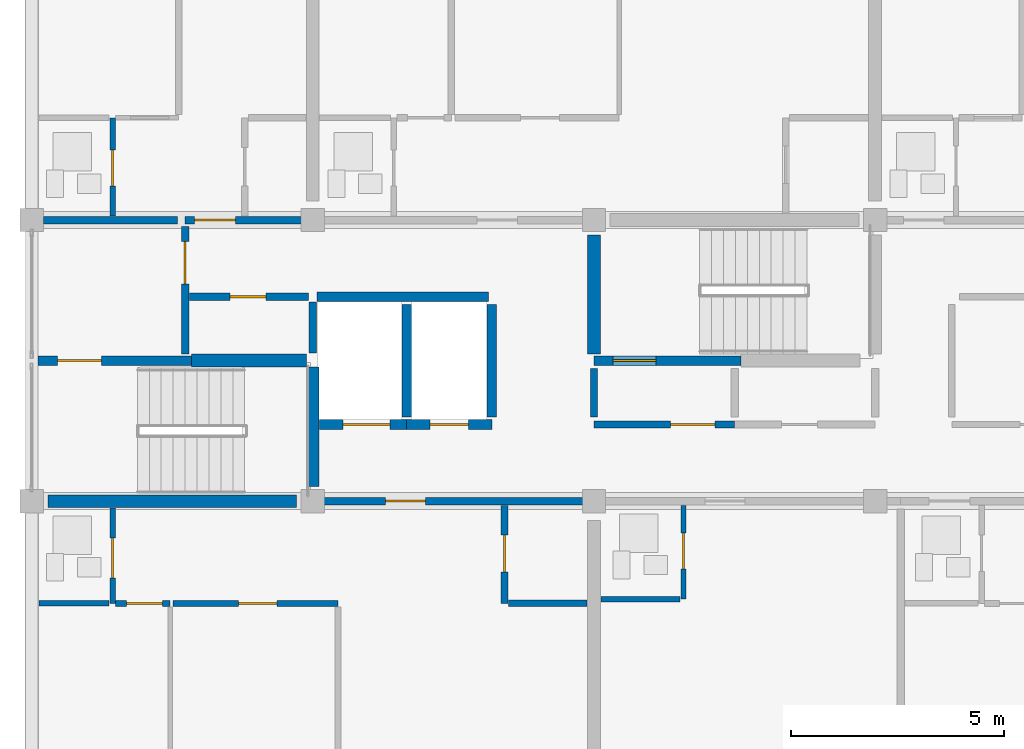
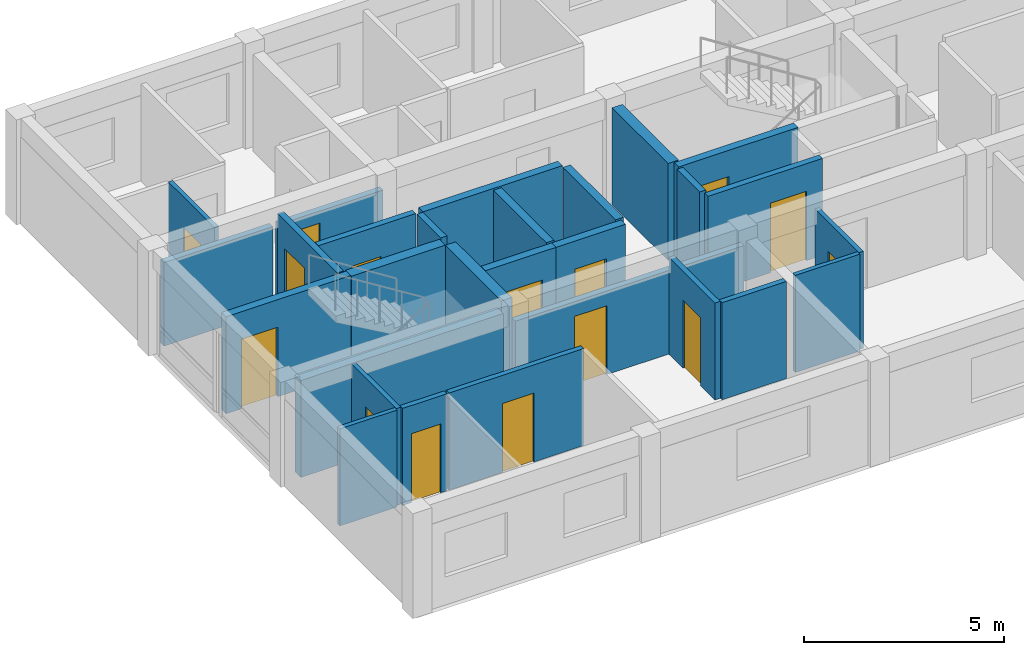
# One storey, part 31 of 45: 28 walls, 15 doors, 15 openings.
"""IFC4 building model written with IfcOpenShell, lengths in metres."""

from ifc_helpers import new_model, si_unit, direction, frame, frame_2d, origin, place, context, subcontext, project, spatial, rectangle, extrude, material, layer, layer_set, type_object, element, fill, save


model = new_model("IFC4")

# Units and contexts
model_context = context("Model", 3, precision=1e-05, world=origin(), true_north=direction((0.0, 1.0)))
body_context = subcontext(model_context, "Body", "Model", "MODEL_VIEW")
ifc_project = project(units=[si_unit("LENGTHUNIT", "METRE"), si_unit("AREAUNIT", "SQUARE_METRE"), si_unit("VOLUMEUNIT", "CUBIC_METRE"), si_unit("PLANEANGLEUNIT", "RADIAN"), si_unit("MASSUNIT", "GRAM", prefix="KILO")], contexts=[model_context])

# Site, building, storey
site_placement = place(None, origin())
site = spatial("IfcSite", under=ifc_project, at=site_placement, CompositionType="ELEMENT")
building_placement = place(site_placement, origin())
building = spatial("IfcBuilding", under=site, at=building_placement, Name="Kernevlak Ridge Housing Community", CompositionType="ELEMENT")
storey_placement = place(building_placement, frame((0.0, 0.0, 21.199951171875)))
storey = spatial("IfcBuildingStorey", under=building, at=storey_placement, Name="L06", CompositionType="ELEMENT", Elevation=21.199951171875)

# Wall, opening, door
ifc_material_1 = material(Name="Concrete C35/45", Category="concrete")
ifc_layer_1 = layer(ifc_material_1, 0.22509765625, Name="Concrete C35/45")
ifc_layer_set_1 = layer_set([ifc_layer_1], Name="Concrete C35/45")
wall_type_1 = type_object("IfcWallType", Name="PW-01", PredefinedType="STANDARD", material=ifc_layer_set_1)
wall_1_placement = place(storey_placement, frame((15.75, 85.89990234375, 0.0), z_axis=(0.0, 0.0, 1.0), x_axis=(1.0, 0.0, 0.0)))
wall_1 = element("IfcWall", 1, at=wall_1_placement, inside=storey, type_object=wall_type_1, Name="Interior wall PW-01 WAL-INT-L06-0374", PredefinedType="STANDARD", context=body_context, shape_type="SweptSolid", body=[
    extrude(rectangle(XDim=3.60009765625, YDim=0.22509765625, at=frame_2d((1.800048828125, 0.0))), origin(), (0.0, 0.0, 1.0), 2.9599609375),
])
opening_1_placement = place(wall_1_placement, frame((0.449951171875, 0.0, 0.0)))
opening_1 = element("IfcOpeningElement", 2, at=opening_1_placement, cuts=wall_1, Name="Opening D189", PredefinedType="OPENING", context=body_context, shape_type="SweptSolid", body=[
    extrude(rectangle(XDim=1.0400390625, YDim=2.1201171875, at=frame_2d((0.52001953125, 1.06005859375))), frame((0.0, 0.12255859375, 0.0), z_axis=(0.0, -1.0, 0.0), x_axis=(1.0, 0.0, 0.0)), (0.0, 0.0, 1.0), 0.2451171875),
])
ifc_material_2 = material(Name="Fire-rated sheet steel leaf", Category="steel")
door_type_1 = type_object("IfcDoorType", Name="DT-16", OperationType="NOTDEFINED", PredefinedType="DOOR", material=ifc_material_2)
door_1_placement = place(opening_1_placement, origin())
door_1 = element("IfcDoor", 3, at=door_1_placement, inside=storey, type_object=door_type_1, Name="Block A Stair 1 fire door D189", OperationType="SINGLE_SWING_LEFT", OverallHeight=2.1201171875, OverallWidth=1.0400390625, PredefinedType="DOOR", context=body_context, shape_type="SweptSolid", body=[
    extrude(rectangle(XDim=1.0400390625, YDim=2.1201171875, at=frame_2d((0.52001953125, 1.06005859375))), frame((0.0, 0.02490234375, 0.0), z_axis=(0.0, -1.0, 0.0), x_axis=(1.0, 0.0, 0.0)), (0.0, 0.0, 1.0), 0.050048828125),
])
fill(opening_1, door_1)

wall_2_placement = place(storey_placement, frame((22.360107421875, 84.39990234375, 0.0), z_axis=(0.0, 0.0, 1.0), x_axis=(1.0, 0.0, 0.0)))
wall_2 = element("IfcWall", 4, at=wall_2_placement, inside=storey, type_object=wall_type_1, Name="Interior wall PW-01 WAL-INT-L06-0378", PredefinedType="STANDARD", context=body_context, shape_type="SweptSolid", body=[
    extrude(rectangle(XDim=2.039794921875, YDim=0.22509765625, at=frame_2d((1.02001953125, 0.0))), origin(), (0.0, 0.0, 1.0), 2.9599609375),
])
opening_2_placement = place(wall_2_placement, frame((0.550048828125, 0.0, 0.0)))
opening_2 = element("IfcOpeningElement", 5, at=opening_2_placement, cuts=wall_2, Name="Opening LD14", PredefinedType="OPENING", context=body_context, shape_type="SweptSolid", body=[
    extrude(rectangle(XDim=1.10009765625, YDim=2.10009765625, at=frame_2d((0.550048828125, 1.050048828125))), frame((0.0, 0.12255859375, 0.0), z_axis=(0.0, -1.0, 0.0), x_axis=(1.0, 0.0, 0.0)), (0.0, 0.0, 1.0), 0.2451171875),
])
ifc_material_3 = material(Name="Stainless steel EN 1.4401", Category="steel")
door_type_2 = type_object("IfcDoorType", Name="DT-LD1", OperationType="DOUBLE_DOOR_SLIDING", PredefinedType="DOOR", material=ifc_material_3)
door_2_placement = place(opening_2_placement, origin())
door_2 = element("IfcDoor", 6, at=door_2_placement, inside=storey, type_object=door_type_2, Name="Lift LF-A1 landing door LD14", OperationType="DOUBLE_DOOR_SLIDING", OverallHeight=2.10009765625, OverallWidth=1.10009765625, PredefinedType="DOOR", context=body_context, shape_type="SweptSolid", body=[
    extrude(rectangle(XDim=1.10009765625, YDim=2.10009765625, at=frame_2d((0.550048828125, 1.050048828125))), frame((0.0, 0.02490234375, 0.0), z_axis=(0.0, -1.0, 0.0), x_axis=(1.0, 0.0, 0.0)), (0.0, 0.0, 1.0), 0.050048828125),
])
fill(opening_2, door_2)

wall_3_placement = place(storey_placement, frame((24.39990234375, 84.39990234375, 0.0), z_axis=(0.0, 0.0, 1.0), x_axis=(1.0, 0.0, 0.0)))
wall_3 = element("IfcWall", 7, at=wall_3_placement, inside=storey, type_object=wall_type_1, Name="Interior wall PW-01 WAL-INT-L06-0379", PredefinedType="STANDARD", context=body_context, shape_type="SweptSolid", body=[
    extrude(rectangle(XDim=2.0, YDim=0.22509765625, at=frame_2d((1.0, 0.0))), origin(), (0.0, 0.0, 1.0), 2.9599609375),
])
opening_3_placement = place(wall_3_placement, frame((0.550048828125, 0.0, 0.0)))
opening_3 = element("IfcOpeningElement", 8, at=opening_3_placement, cuts=wall_3, Name="Opening LD15", PredefinedType="OPENING", context=body_context, shape_type="SweptSolid", body=[
    extrude(rectangle(XDim=0.89990234375, YDim=2.10009765625, at=frame_2d((0.449951171875, 1.050048828125))), frame((0.0, 0.12255859375, 0.0), z_axis=(0.0, -1.0, 0.0), x_axis=(1.0, 0.0, 0.0)), (0.0, 0.0, 1.0), 0.2451171875),
])
door_type_3 = type_object("IfcDoorType", Name="DT-LD2", OperationType="DOUBLE_DOOR_SLIDING", PredefinedType="DOOR", material=ifc_material_3)
door_3_placement = place(opening_3_placement, origin())
door_3 = element("IfcDoor", 9, at=door_3_placement, inside=storey, type_object=door_type_3, Name="Lift LF-A2 landing door LD15", OperationType="DOUBLE_DOOR_SLIDING", OverallHeight=2.10009765625, OverallWidth=0.89990234375, PredefinedType="DOOR", context=body_context, shape_type="SweptSolid", body=[
    extrude(rectangle(XDim=0.89990234375, YDim=2.10009765625, at=frame_2d((0.449951171875, 1.050048828125))), frame((0.0, 0.02490234375, 0.0), z_axis=(0.0, -1.0, 0.0), x_axis=(1.0, 0.0, 0.0)), (0.0, 0.0, 1.0), 0.050048828125),
])
fill(opening_3, door_3)

# Walls
wall_4_placement = place(storey_placement, frame((22.297607421875, 87.39990234375, 0.0), z_axis=(0.0, 0.0, 1.0), x_axis=(1.0, 0.0, 0.0)))
element("IfcWall", 10, at=wall_4_placement, inside=storey, type_object=wall_type_1, Name="Interior wall PW-01 WAL-INT-L06-0380", PredefinedType="STANDARD", context=body_context, shape_type="SweptSolid", body=[
    extrude(rectangle(XDim=4.0224609375, YDim=0.22509765625, at=frame_2d((2.01123046875, 0.0))), origin(), (0.0, 0.0, 1.0), 2.9599609375),
])
for number, where, z_axis, x_axis, name in (
    (11, (24.39990234375, 84.580078125, 0.0), (0.0, 0.0, 1.0), (0.0, 1.0, 0.0), "Interior wall PW-01 WAL-INT-L06-0382"),
    (12, (26.39990234375, 84.580078125, 0.0), (0.0, 0.0, 1.0), (0.0, 1.0, 0.0), "Interior wall PW-01 WAL-INT-L06-0383"),
):
    element("IfcWall", number, at=place(storey_placement, frame(where, z_axis=z_axis, x_axis=x_axis)), inside=storey, type_object=wall_type_1, Name=name, PredefinedType="STANDARD", context=body_context, shape_type="SweptSolid", body=[
        extrude(rectangle(XDim=2.639892578125, YDim=0.22509765625, at=frame_2d((1.31982421875, 0.0))), origin(), (0.0, 0.0, 1.0), 2.9599609375),
    ])

# Wall, opening, door
wall_5_placement = place(storey_placement, frame((28.800048828125, 85.89990234375, 0.0), z_axis=(0.0, 0.0, 1.0), x_axis=(1.0, 0.0, 0.0)))
wall_5 = element("IfcWall", 13, at=wall_5_placement, inside=storey, type_object=wall_type_1, Name="Interior wall PW-01 WAL-INT-L06-0384", PredefinedType="STANDARD", context=body_context, shape_type="SweptSolid", body=[
    extrude(rectangle(XDim=3.449951171875, YDim=0.22509765625, at=frame_2d((1.72509765625, 0.0))), origin(), (0.0, 0.0, 1.0), 2.9599609375),
])
opening_4_placement = place(wall_5_placement, frame((0.449951171875, 0.0, 0.0)))
opening_4 = element("IfcOpeningElement", 14, at=opening_4_placement, cuts=wall_5, Name="Opening D192", PredefinedType="OPENING", context=body_context, shape_type="SweptSolid", body=[
    extrude(rectangle(XDim=1.0, YDim=2.159912109375, at=frame_2d((0.5, 1.080078125))), frame((0.0, 0.12255859375, 0.0), z_axis=(0.0, -1.0, 0.0), x_axis=(1.0, 0.0, 0.0)), (0.0, 0.0, 1.0), 0.2451171875),
])
door_type_4 = type_object("IfcDoorType", Name="DT-15", OperationType="NOTDEFINED", PredefinedType="DOOR", material=ifc_material_2)
door_4_placement = place(opening_4_placement, origin())
door_4 = element("IfcDoor", 15, at=door_4_placement, inside=storey, type_object=door_type_4, Name="Block A Stair 2 fire door D192", OperationType="SINGLE_SWING_RIGHT", OverallHeight=2.159912109375, OverallWidth=1.0, PredefinedType="DOOR", context=body_context, shape_type="SweptSolid", body=[
    extrude(rectangle(XDim=1.0, YDim=2.159912109375, at=frame_2d((0.5, 1.080078125))), frame((0.0, 0.02490234375, 0.0), z_axis=(0.0, -1.0, 0.0), x_axis=(1.0, 0.0, 0.0)), (0.0, 0.0, 1.0), 0.050048828125),
])
fill(opening_4, door_4)

ifc_material_4 = material(Name="Concrete block masonry M10", Category="masonry")
ifc_layer_2 = layer(ifc_material_4, 0.175048828125, Name="Concrete block masonry M10")
ifc_layer_set_2 = layer_set([ifc_layer_2], Name="Concrete block masonry M10")
wall_type_2 = type_object("IfcWallType", Name="PW-02", PredefinedType="PARTITIONING", material=ifc_layer_set_2)
wall_6_placement = place(storey_placement, frame((19.199951171875, 86.050048828125, 0.0), z_axis=(0.0, 0.0, 1.0), x_axis=(0.0, 1.0, 0.0)))
wall_6 = element("IfcWall", 16, at=wall_6_placement, inside=storey, type_object=wall_type_2, Name="Interior wall PW-02 WAL-INT-L06-0375", PredefinedType="PARTITIONING", context=body_context, shape_type="SweptSolid", body=[
    extrude(rectangle(XDim=3.0, YDim=0.175048828125, at=frame_2d((1.5, 0.0))), origin(), (0.0, 0.0, 1.0), 2.9599609375),
])
opening_5_placement = place(wall_6_placement, frame((1.64990234375, 0.0, 0.0)))
opening_5 = element("IfcOpeningElement", 17, at=opening_5_placement, cuts=wall_6, Name="Opening D190", PredefinedType="OPENING", context=body_context, shape_type="SweptSolid", body=[
    extrude(rectangle(XDim=1.0, YDim=2.10009765625, at=frame_2d((0.5, 1.050048828125))), frame((0.0, 0.097412109375, 0.0), z_axis=(0.0, -1.0, 0.0), x_axis=(1.0, 0.0, 0.0)), (0.0, 0.0, 1.0), 0.195068359375),
])
door_type_5 = type_object("IfcDoorType", Name="DT-05", OperationType="NOTDEFINED", PredefinedType="DOOR", material=ifc_material_2)
door_5_placement = place(opening_5_placement, origin())
door_5 = element("IfcDoor", 18, at=door_5_placement, inside=storey, type_object=door_type_5, Name="Block A Firefighting lobby 1 door D190", OperationType="SINGLE_SWING_RIGHT", OverallHeight=2.10009765625, OverallWidth=1.0, PredefinedType="DOOR", context=body_context, shape_type="SweptSolid", body=[
    extrude(rectangle(XDim=1.0, YDim=2.10009765625, at=frame_2d((0.5, 1.050048828125))), frame((0.0, 0.02490234375, 0.0), z_axis=(0.0, -1.0, 0.0), x_axis=(1.0, 0.0, 0.0)), (0.0, 0.0, 1.0), 0.050048828125),
])
fill(opening_5, door_5)

wall_7_placement = place(storey_placement, frame((19.300048828125, 87.39990234375, 0.0), z_axis=(0.0, 0.0, 1.0), x_axis=(1.0, 0.0, 0.0)))
wall_7 = element("IfcWall", 19, at=wall_7_placement, inside=storey, type_object=wall_type_2, Name="Interior wall PW-02 WAL-INT-L06-0376", PredefinedType="PARTITIONING", context=body_context, shape_type="SweptSolid", body=[
    extrude(rectangle(XDim=2.800048828125, YDim=0.175048828125, at=frame_2d((1.39990234375, 0.0))), origin(), (0.0, 0.0, 1.0), 2.9599609375),
])
opening_6_placement = place(wall_7_placement, frame((0.949951171875, 0.0, 0.0)))
opening_6 = element("IfcOpeningElement", 20, at=opening_6_placement, cuts=wall_7, Name="Opening D191", PredefinedType="OPENING", context=body_context, shape_type="SweptSolid", body=[
    extrude(rectangle(XDim=0.85009765625, YDim=2.0, at=frame_2d((0.425048828125, 1.0))), frame((0.0, 0.097412109375, 0.0), z_axis=(0.0, -1.0, 0.0), x_axis=(1.0, 0.0, 0.0)), (0.0, 0.0, 1.0), 0.195068359375),
])
door_type_6 = type_object("IfcDoorType", Name="DT-07", OperationType="NOTDEFINED", PredefinedType="DOOR", material=ifc_material_2)
door_6_placement = place(opening_6_placement, origin())
door_6 = element("IfcDoor", 21, at=door_6_placement, inside=storey, type_object=door_type_6, Name="Block A Riser shaft door D191", OperationType="SINGLE_SWING_LEFT", OverallHeight=2.0, OverallWidth=0.85009765625, PredefinedType="DOOR", context=body_context, shape_type="SweptSolid", body=[
    extrude(rectangle(XDim=0.85009765625, YDim=2.0, at=frame_2d((0.425048828125, 1.0))), frame((0.0, 0.02490234375, 0.0), z_axis=(0.0, -1.0, 0.0), x_axis=(1.0, 0.0, 0.0)), (0.0, 0.0, 1.0), 0.050048828125),
])
fill(opening_6, door_6)

# Wall
wall_8_placement = place(storey_placement, frame((22.199951171875, 86.080078125, 0.0), z_axis=(0.0, 0.0, 1.0), x_axis=(0.0, 1.0, 0.0)))
element("IfcWall", 22, at=wall_8_placement, inside=storey, type_object=wall_type_2, Name="Interior wall PW-02 WAL-INT-L06-0377", PredefinedType="PARTITIONING", context=body_context, shape_type="SweptSolid", body=[
    extrude(rectangle(XDim=1.18994140625, YDim=0.175048828125, at=frame_2d((0.594970703125, 0.0))), origin(), (0.0, 0.0, 1.0), 2.9599609375),
])

# Wall, opening, door
wall_9_placement = place(storey_placement, frame((28.800048828125, 84.39990234375, 0.0), z_axis=(0.0, 0.0, 1.0), x_axis=(1.0, 0.0, 0.0)))
wall_9 = element("IfcWall", 23, at=wall_9_placement, inside=storey, type_object=wall_type_2, Name="Interior wall PW-02 WAL-INT-L06-0385", PredefinedType="PARTITIONING", context=body_context, shape_type="SweptSolid", body=[
    extrude(rectangle(XDim=3.300048828125, YDim=0.175048828125, at=frame_2d((1.64990234375, 0.0))), origin(), (0.0, 0.0, 1.0), 2.9599609375),
])
opening_7_placement = place(wall_9_placement, frame((1.800048828125, 0.0, 0.0)))
opening_7 = element("IfcOpeningElement", 24, at=opening_7_placement, cuts=wall_9, Name="Opening D193", PredefinedType="OPENING", context=body_context, shape_type="SweptSolid", body=[
    extrude(rectangle(XDim=1.0400390625, YDim=2.1201171875, at=frame_2d((0.52001953125, 1.06005859375))), frame((0.0, 0.097412109375, 0.0), z_axis=(0.0, -1.0, 0.0), x_axis=(1.0, 0.0, 0.0)), (0.0, 0.0, 1.0), 0.195068359375),
])
door_7_placement = place(opening_7_placement, origin())
door_7 = element("IfcDoor", 25, at=door_7_placement, inside=storey, type_object=door_type_1, Name="Block A Firefighting lobby 2 door D193", OperationType="SINGLE_SWING_LEFT", OverallHeight=2.1201171875, OverallWidth=1.0400390625, PredefinedType="DOOR", context=body_context, shape_type="SweptSolid", body=[
    extrude(rectangle(XDim=1.0400390625, YDim=2.1201171875, at=frame_2d((0.52001953125, 1.06005859375))), frame((0.0, 0.02490234375, 0.0), z_axis=(0.0, -1.0, 0.0), x_axis=(1.0, 0.0, 0.0)), (0.0, 0.0, 1.0), 0.050048828125),
])
fill(opening_7, door_7)

# Wall
wall_10_placement = place(storey_placement, frame((28.800048828125, 84.580078125, 0.0), z_axis=(0.0, 0.0, 1.0), x_axis=(0.0, 1.0, 0.0)))
element("IfcWall", 26, at=wall_10_placement, inside=storey, type_object=wall_type_2, Name="Interior wall PW-02 WAL-INT-L06-0387", PredefinedType="PARTITIONING", context=body_context, shape_type="SweptSolid", body=[
    extrude(rectangle(XDim=1.139892578125, YDim=0.175048828125, at=frame_2d((0.56982421875, 0.0))), origin(), (0.0, 0.0, 1.0), 2.9599609375),
])

# Wall, opening, door
wall_11_placement = place(storey_placement, frame((22.199951171875, 82.60009765625, 0.0), z_axis=(0.0, 0.0, 1.0), x_axis=(1.0, 0.0, 0.0)))
wall_11 = element("IfcWall", 27, at=wall_11_placement, inside=storey, type_object=wall_type_2, Name="Interior wall PW-02 WAL-INT-L06-0395", PredefinedType="PARTITIONING", context=body_context, shape_type="SweptSolid", body=[
    extrude(rectangle(XDim=6.60009765625, YDim=0.175048828125, at=frame_2d((3.300048828125, 0.0))), origin(), (0.0, 0.0, 1.0), 2.550048828125),
])
opening_8_placement = place(wall_11_placement, frame((1.699951171875, 0.0, 0.0)))
opening_8 = element("IfcOpeningElement", 28, at=opening_8_placement, cuts=wall_11, Name="Opening D197", PredefinedType="OPENING", context=body_context, shape_type="SweptSolid", body=[
    extrude(rectangle(XDim=0.949951171875, YDim=2.10009765625, at=frame_2d((0.47509765625, 1.050048828125))), frame((0.0, 0.097412109375, 0.0), z_axis=(0.0, -1.0, 0.0), x_axis=(1.0, 0.0, 0.0)), (0.0, 0.0, 1.0), 0.195068359375),
])
ifc_material_5 = material(Name="Hardwood timber solid-core fire leaf", Category="wood")
door_type_7 = type_object("IfcDoorType", Name="DT-01", OperationType="NOTDEFINED", PredefinedType="DOOR", material=ifc_material_5)
door_8_placement = place(opening_8_placement, origin())
door_8 = element("IfcDoor", 29, at=door_8_placement, inside=storey, type_object=door_type_7, Name="Flat A0611 entrance fire door D197", OperationType="SINGLE_SWING_LEFT", OverallHeight=2.10009765625, OverallWidth=0.949951171875, PredefinedType="DOOR", context=body_context, shape_type="SweptSolid", body=[
    extrude(rectangle(XDim=0.949951171875, YDim=2.10009765625, at=frame_2d((0.47509765625, 1.050048828125))), frame((0.0, 0.02490234375, 0.0), z_axis=(0.0, -1.0, 0.0), x_axis=(1.0, 0.0, 0.0)), (0.0, 0.0, 1.0), 0.050048828125),
])
fill(opening_8, door_8)

# Wall
wall_12_placement = place(storey_placement, frame((15.8798828125, 89.199951171875, 0.0), z_axis=(0.0, 0.0, 1.0), x_axis=(1.0, 0.0, 0.0)))
element("IfcWall", 30, at=wall_12_placement, inside=storey, type_object=wall_type_2, Name="Interior wall PW-02 WAL-INT-L06-0415", PredefinedType="PARTITIONING", context=body_context, shape_type="SweptSolid", body=[
    extrude(rectangle(XDim=3.14013671875, YDim=0.175048828125, at=frame_2d((1.570068359375, 0.0))), origin(), (0.0, 0.0, 1.0), 2.550048828125),
])

# Wall, opening, door
wall_13_placement = place(storey_placement, frame((19.199951171875, 89.199951171875, 0.0), z_axis=(0.0, 0.0, 1.0), x_axis=(1.0, 0.0, 0.0)))
wall_13 = element("IfcWall", 31, at=wall_13_placement, inside=storey, type_object=wall_type_2, Name="Interior wall PW-02 WAL-INT-L06-0416", PredefinedType="PARTITIONING", context=body_context, shape_type="SweptSolid", body=[
    extrude(rectangle(XDim=3.0, YDim=0.175048828125, at=frame_2d((1.5, 0.0))), origin(), (0.0, 0.0, 1.0), 2.550048828125),
])
opening_9_placement = place(wall_13_placement, frame((0.219970703125, 0.0, 0.0)))
opening_9 = element("IfcOpeningElement", 32, at=opening_9_placement, cuts=wall_13, Name="Opening D208", PredefinedType="OPENING", context=body_context, shape_type="SweptSolid", body=[
    extrude(rectangle(XDim=0.9599609375, YDim=2.179931640625, at=frame_2d((0.47998046875, 1.08984375))), frame((0.0, 0.097412109375, 0.0), z_axis=(0.0, -1.0, 0.0), x_axis=(1.0, 0.0, 0.0)), (0.0, 0.0, 1.0), 0.195068359375),
])
door_type_8 = type_object("IfcDoorType", Name="DT-29", OperationType="NOTDEFINED", PredefinedType="DOOR", material=ifc_material_5)
door_9_placement = place(opening_9_placement, origin())
door_9 = element("IfcDoor", 33, at=door_9_placement, inside=storey, type_object=door_type_8, Name="Flat A0621 entrance fire door D208", OperationType="SINGLE_SWING_RIGHT", OverallHeight=2.179931640625, OverallWidth=0.9599609375, PredefinedType="DOOR", context=body_context, shape_type="SweptSolid", body=[
    extrude(rectangle(XDim=0.9599609375, YDim=2.179931640625, at=frame_2d((0.47998046875, 1.08984375))), frame((0.0, 0.02490234375, 0.0), z_axis=(0.0, -1.0, 0.0), x_axis=(1.0, 0.0, 0.0)), (0.0, 0.0, 1.0), 0.050048828125),
])
fill(opening_9, door_9)

ifc_layer_3 = layer(ifc_material_4, 0.14501953125, Name="Concrete block masonry M10")
ifc_layer_set_3 = layer_set([ifc_layer_3], Name="Concrete block masonry M10")
wall_type_3 = type_object("IfcWallType", Name="PW-03", PredefinedType="PARTITIONING", material=ifc_layer_set_3)
wall_14_placement = place(storey_placement, frame((17.572509765625, 80.199951171875, 0.0), z_axis=(0.0, 0.0, 1.0), x_axis=(1.0, 0.0, 0.0)))
wall_14 = element("IfcWall", 34, at=wall_14_placement, inside=storey, type_object=wall_type_3, Name="Interior wall PW-03 WAL-INT-L06-0400", PredefinedType="PARTITIONING", context=body_context, shape_type="SweptSolid", body=[
    extrude(rectangle(XDim=1.277587890625, YDim=0.14501953125, at=frame_2d((0.638671875, 0.0))), origin(), (0.0, 0.0, 1.0), 2.9599609375),
])
opening_10_placement = place(wall_14_placement, frame((0.25, 0.0, 0.0)))
opening_10 = element("IfcOpeningElement", 35, at=opening_10_placement, cuts=wall_14, Name="Opening D200", PredefinedType="OPENING", context=body_context, shape_type="SweptSolid", body=[
    extrude(rectangle(XDim=0.85009765625, YDim=2.10009765625, at=frame_2d((0.425048828125, 1.050048828125))), frame((0.0, 0.08251953125, 0.0), z_axis=(0.0, -1.0, 0.0), x_axis=(1.0, 0.0, 0.0)), (0.0, 0.0, 1.0), 0.1650390625),
])
ifc_material_6 = material(Name="Hardwood timber leaf", Category="wood")
door_type_9 = type_object("IfcDoorType", Name="DT-03", OperationType="NOTDEFINED", PredefinedType="DOOR", material=ifc_material_6)
door_10_placement = place(opening_10_placement, origin())
door_10 = element("IfcDoor", 36, at=door_10_placement, inside=storey, type_object=door_type_9, Name="Flat A0611 bedroom door D200", OperationType="SINGLE_SWING_RIGHT", OverallHeight=2.10009765625, OverallWidth=0.85009765625, PredefinedType="DOOR", context=body_context, shape_type="SweptSolid", body=[
    extrude(rectangle(XDim=0.85009765625, YDim=2.10009765625, at=frame_2d((0.425048828125, 1.050048828125))), frame((0.0, 0.02490234375, 0.0), z_axis=(0.0, -1.0, 0.0), x_axis=(1.0, 0.0, 0.0)), (0.0, 0.0, 1.0), 0.050048828125),
])
fill(opening_10, door_10)

wall_15_placement = place(storey_placement, frame((18.91259765625, 80.199951171875, 0.0), z_axis=(0.0, 0.0, 1.0), x_axis=(1.0, 0.0, 0.0)))
wall_15 = element("IfcWall", 37, at=wall_15_placement, inside=storey, type_object=wall_type_3, Name="Interior wall PW-03 WAL-INT-L06-0402", PredefinedType="PARTITIONING", context=body_context, shape_type="SweptSolid", body=[
    extrude(rectangle(XDim=3.87939453125, YDim=0.14501953125, at=frame_2d((1.939697265625, 0.0))), origin(), (0.0, 0.0, 1.0), 2.9599609375),
])
opening_11_placement = place(wall_15_placement, frame((1.5458984375, 0.0, 0.0)))
opening_11 = element("IfcOpeningElement", 38, at=opening_11_placement, cuts=wall_15, Name="Opening D201", PredefinedType="OPENING", context=body_context, shape_type="SweptSolid", body=[
    extrude(rectangle(XDim=0.89990234375, YDim=2.10009765625, at=frame_2d((0.449951171875, 1.050048828125))), frame((0.0, 0.08251953125, 0.0), z_axis=(0.0, -1.0, 0.0), x_axis=(1.0, 0.0, 0.0)), (0.0, 0.0, 1.0), 0.1650390625),
])
door_type_10 = type_object("IfcDoorType", Name="DT-21", OperationType="NOTDEFINED", PredefinedType="DOOR", material=ifc_material_6)
door_11_placement = place(opening_11_placement, origin())
door_11 = element("IfcDoor", 39, at=door_11_placement, inside=storey, type_object=door_type_10, Name="Flat A0611 bedroom door D201", OperationType="SINGLE_SWING_LEFT", OverallHeight=2.10009765625, OverallWidth=0.89990234375, PredefinedType="DOOR", context=body_context, shape_type="SweptSolid", body=[
    extrude(rectangle(XDim=0.89990234375, YDim=2.10009765625, at=frame_2d((0.449951171875, 1.050048828125))), frame((0.0, 0.02490234375, 0.0), z_axis=(0.0, -1.0, 0.0), x_axis=(1.0, 0.0, 0.0)), (0.0, 0.0, 1.0), 0.050048828125),
])
fill(opening_11, door_11)

ifc_material_7 = material(Name="Gypsum plasterboard EN 520", Category="gypsum")
ifc_layer_4 = layer(ifc_material_7, 0.125, Name="Gypsum plasterboard EN 520")
ifc_layer_set_4 = layer_set([ifc_layer_4], Name="Gypsum plasterboard EN 520")
wall_type_4 = type_object("IfcWallType", Name="PW-04", PredefinedType="PARTITIONING", material=ifc_layer_set_4)
wall_16_placement = place(storey_placement, frame((17.5, 82.43994140625, 0.0), z_axis=(0.0, 0.0, 1.0), x_axis=(0.0, -1.0, 0.0)))
wall_16 = element("IfcWall", 40, at=wall_16_placement, inside=storey, type_object=wall_type_4, Name="Interior wall PW-04 WAL-INT-L06-0396", PredefinedType="PARTITIONING", context=body_context, shape_type="SweptSolid", body=[
    extrude(rectangle(XDim=2.239990234375, YDim=0.125, at=frame_2d((1.1201171875, 0.0))), origin(), (0.0, 0.0, 1.0), 2.9599609375),
])
opening_12_placement = place(wall_16_placement, frame((0.699951171875, 0.0, 0.0)))
opening_12 = element("IfcOpeningElement", 41, at=opening_12_placement, cuts=wall_16, Name="Opening D198", PredefinedType="OPENING", context=body_context, shape_type="SweptSolid", body=[
    extrude(rectangle(XDim=0.93994140625, YDim=2.080078125, at=frame_2d((0.469970703125, 1.0400390625))), frame((0.0, 0.072509765625, 0.0), z_axis=(0.0, -1.0, 0.0), x_axis=(1.0, 0.0, 0.0)), (0.0, 0.0, 1.0), 0.14501953125),
])
ifc_material_8 = material(Name="Hardwood timber moisture-resistant leaf", Category="wood")
door_type_11 = type_object("IfcDoorType", Name="DT-23", OperationType="NOTDEFINED", PredefinedType="DOOR", material=ifc_material_8)
door_12_placement = place(opening_12_placement, origin())
door_12 = element("IfcDoor", 42, at=door_12_placement, inside=storey, type_object=door_type_11, Name="Flat A0611 bathroom door D198", OperationType="SINGLE_SWING_RIGHT", OverallHeight=2.080078125, OverallWidth=0.93994140625, PredefinedType="DOOR", context=body_context, shape_type="SweptSolid", body=[
    extrude(rectangle(XDim=0.93994140625, YDim=2.080078125, at=frame_2d((0.469970703125, 1.0400390625))), frame((0.0, 0.02490234375, 0.0), z_axis=(0.0, -1.0, 0.0), x_axis=(1.0, 0.0, 0.0)), (0.0, 0.0, 1.0), 0.050048828125),
])
fill(opening_12, door_12)

# Wall
wall_17_placement = place(storey_placement, frame((15.77001953125, 80.199951171875, 0.0), z_axis=(0.0, 0.0, 1.0), x_axis=(1.0, 0.0, 0.0)))
element("IfcWall", 43, at=wall_17_placement, inside=storey, type_object=wall_type_4, Name="Interior wall PW-04 WAL-INT-L06-0397", PredefinedType="PARTITIONING", context=body_context, shape_type="SweptSolid", body=[
    extrude(rectangle(XDim=1.64990234375, YDim=0.125, at=frame_2d((0.824951171875, 0.0))), origin(), (0.0, 0.0, 1.0), 2.9599609375),
])

# Wall, opening, door
wall_18_placement = place(storey_placement, frame((30.89990234375, 82.50244140625, 0.0), z_axis=(0.0, 0.0, 1.0), x_axis=(0.0, -1.0, 0.0)))
wall_18 = element("IfcWall", 44, at=wall_18_placement, inside=storey, type_object=wall_type_4, Name="Interior wall PW-04 WAL-INT-L06-0405", PredefinedType="PARTITIONING", context=body_context, shape_type="SweptSolid", body=[
    extrude(rectangle(XDim=2.202392578125, YDim=0.125, at=frame_2d((1.10107421875, 0.0))), origin(), (0.0, 0.0, 1.0), 2.9599609375),
])
opening_13_placement = place(wall_18_placement, frame((0.64990234375, 0.0, 0.0)))
opening_13 = element("IfcOpeningElement", 45, at=opening_13_placement, cuts=wall_18, Name="Opening D203", PredefinedType="OPENING", context=body_context, shape_type="SweptSolid", body=[
    extrude(rectangle(XDim=0.840087890625, YDim=2.06005859375, at=frame_2d((0.419921875, 1.030029296875))), frame((0.0, 0.072509765625, 0.0), z_axis=(0.0, -1.0, 0.0), x_axis=(1.0, 0.0, 0.0)), (0.0, 0.0, 1.0), 0.14501953125),
])
door_type_12 = type_object("IfcDoorType", Name="DT-27", OperationType="NOTDEFINED", PredefinedType="DOOR", material=ifc_material_8)
door_13_placement = place(opening_13_placement, origin())
door_13 = element("IfcDoor", 46, at=door_13_placement, inside=storey, type_object=door_type_12, Name="Flat A0612 bathroom door D203", OperationType="SINGLE_SWING_LEFT", OverallHeight=2.06005859375, OverallWidth=0.840087890625, PredefinedType="DOOR", context=body_context, shape_type="SweptSolid", body=[
    extrude(rectangle(XDim=0.840087890625, YDim=2.06005859375, at=frame_2d((0.419921875, 1.030029296875))), frame((0.0, 0.02490234375, 0.0), z_axis=(0.0, -1.0, 0.0), x_axis=(1.0, 0.0, 0.0)), (0.0, 0.0, 1.0), 0.050048828125),
])
fill(opening_13, door_13)

# Wall
wall_19_placement = place(storey_placement, frame((28.9599609375, 80.300048828125, 0.0), z_axis=(0.0, 0.0, 1.0), x_axis=(1.0, 0.0, 0.0)))
element("IfcWall", 47, at=wall_19_placement, inside=storey, type_object=wall_type_4, Name="Interior wall PW-04 WAL-INT-L06-0406", PredefinedType="PARTITIONING", context=body_context, shape_type="SweptSolid", body=[
    extrude(rectangle(XDim=1.860107421875, YDim=0.125, at=frame_2d((0.93017578125, 0.0))), origin(), (0.0, 0.0, 1.0), 2.9599609375),
])

# Wall, opening, door
wall_20_placement = place(storey_placement, frame((17.5, 89.297607421875, 0.0), z_axis=(0.0, 0.0, 1.0), x_axis=(0.0, 1.0, 0.0)))
wall_20 = element("IfcWall", 48, at=wall_20_placement, inside=storey, type_object=wall_type_4, Name="Interior wall PW-04 WAL-INT-L06-0417", PredefinedType="PARTITIONING", context=body_context, shape_type="SweptSolid", body=[
    extrude(rectangle(XDim=2.302490234375, YDim=0.125, at=frame_2d((1.1513671875, 0.0))), origin(), (0.0, 0.0, 1.0), 2.9599609375),
])
opening_14_placement = place(wall_20_placement, frame((0.699951171875, 0.0, 0.0)))
opening_14 = element("IfcOpeningElement", 49, at=opening_14_placement, cuts=wall_20, Name="Opening D209", PredefinedType="OPENING", context=body_context, shape_type="SweptSolid", body=[
    extrude(rectangle(XDim=0.85009765625, YDim=2.0400390625, at=frame_2d((0.425048828125, 1.02001953125))), frame((0.0, 0.072509765625, 0.0), z_axis=(0.0, -1.0, 0.0), x_axis=(1.0, 0.0, 0.0)), (0.0, 0.0, 1.0), 0.14501953125),
])
door_type_13 = type_object("IfcDoorType", Name="DT-04", OperationType="NOTDEFINED", PredefinedType="DOOR", material=ifc_material_8)
door_14_placement = place(opening_14_placement, origin())
door_14 = element("IfcDoor", 50, at=door_14_placement, inside=storey, type_object=door_type_13, Name="Flat A0621 bathroom door D209", OperationType="SINGLE_SWING_LEFT", OverallHeight=2.0400390625, OverallWidth=0.85009765625, PredefinedType="DOOR", context=body_context, shape_type="SweptSolid", body=[
    extrude(rectangle(XDim=0.85009765625, YDim=2.0400390625, at=frame_2d((0.425048828125, 1.02001953125))), frame((0.0, 0.02490234375, 0.0), z_axis=(0.0, -1.0, 0.0), x_axis=(1.0, 0.0, 0.0)), (0.0, 0.0, 1.0), 0.050048828125),
])
fill(opening_14, door_14)

ifc_layer_5 = layer(ifc_material_7, 0.155029296875, Name="Gypsum plasterboard EN 520")
ifc_layer_set_5 = layer_set([ifc_layer_5], Name="Gypsum plasterboard EN 520")
wall_type_5 = type_object("IfcWallType", Name="PW-05", PredefinedType="PARTITIONING", material=ifc_layer_set_5)
wall_21_placement = place(storey_placement, frame((26.699951171875, 82.50244140625, 0.0), z_axis=(0.0, 0.0, 1.0), x_axis=(0.0, -1.0, 0.0)))
wall_21 = element("IfcWall", 51, at=wall_21_placement, inside=storey, type_object=wall_type_5, Name="Interior wall PW-05 WAL-INT-L06-0398", PredefinedType="PARTITIONING", context=body_context, shape_type="SweptSolid", body=[
    extrude(rectangle(XDim=2.302490234375, YDim=0.155029296875, at=frame_2d((1.1513671875, 0.0))), origin(), (0.0, 0.0, 1.0), 2.9599609375),
])
opening_15_placement = place(wall_21_placement, frame((0.699951171875, 0.0, 0.0)))
opening_15 = element("IfcOpeningElement", 52, at=opening_15_placement, cuts=wall_21, Name="Opening D199", PredefinedType="OPENING", context=body_context, shape_type="SweptSolid", body=[
    extrude(rectangle(XDim=0.8701171875, YDim=2.080078125, at=frame_2d((0.43505859375, 1.0400390625))), frame((0.0, 0.08740234375, 0.0), z_axis=(0.0, -1.0, 0.0), x_axis=(1.0, 0.0, 0.0)), (0.0, 0.0, 1.0), 0.175048828125),
])
door_type_14 = type_object("IfcDoorType", Name="DT-32", OperationType="NOTDEFINED", PredefinedType="DOOR", material=ifc_material_6)
door_15_placement = place(opening_15_placement, origin())
door_15 = element("IfcDoor", 53, at=door_15_placement, inside=storey, type_object=door_type_14, Name="Flat A0611 kitchen door D199", OperationType="SINGLE_SWING_LEFT", OverallHeight=2.080078125, OverallWidth=0.8701171875, PredefinedType="DOOR", context=body_context, shape_type="SweptSolid", body=[
    extrude(rectangle(XDim=0.8701171875, YDim=2.080078125, at=frame_2d((0.43505859375, 1.0400390625))), frame((0.0, 0.02490234375, 0.0), z_axis=(0.0, -1.0, 0.0), x_axis=(1.0, 0.0, 0.0)), (0.0, 0.0, 1.0), 0.050048828125),
])
fill(opening_15, door_15)

# Walls
wall_22_placement = place(storey_placement, frame((26.78759765625, 80.199951171875, 0.0), z_axis=(0.0, 0.0, 1.0), x_axis=(1.0, 0.0, 0.0)))
element("IfcWall", 54, at=wall_22_placement, inside=storey, type_object=wall_type_5, Name="Interior wall PW-05 WAL-INT-L06-0399", PredefinedType="PARTITIONING", context=body_context, shape_type="SweptSolid", body=[
    extrude(rectangle(XDim=1.852294921875, YDim=0.155029296875, at=frame_2d((0.92626953125, 0.0))), origin(), (0.0, 0.0, 1.0), 2.9599609375),
])
ifc_material_9 = material(Name="Concrete C40/50", Category="concrete")
ifc_layer_6 = layer(ifc_material_9, 0.300048828125, Name="Concrete C40/50")
ifc_layer_set_6 = layer_set([ifc_layer_6], Name="Concrete C40/50")
wall_type_6 = type_object("IfcWallType", Name="SW-02", PredefinedType="SHEAR", material=ifc_layer_set_6)
wall_23_placement = place(storey_placement, frame((15.97998046875, 82.60009765625, 0.0), z_axis=(0.0, 0.0, 1.0), x_axis=(1.0, 0.0, 0.0)))
element("IfcWall", 55, at=wall_23_placement, inside=storey, type_object=wall_type_6, Name="Shear wall SW-02 Block A L06 71", PredefinedType="SHEAR", context=body_context, shape_type="SweptSolid", body=[
    extrude(rectangle(XDim=5.840087890625, YDim=0.300048828125, at=frame_2d((2.919921875, 0.0))), origin(), (0.0, 0.0, 1.0), 2.9599609375),
])
wall_24_placement = place(storey_placement, frame((19.35009765625, 85.89990234375, 0.0), z_axis=(0.0, 0.0, 1.0), x_axis=(1.0, 0.0, 0.0)))
element("IfcWall", 56, at=wall_24_placement, inside=storey, type_object=wall_type_6, Name="Shear wall SW-02 Block A L06 72", PredefinedType="SHEAR", context=body_context, shape_type="SweptSolid", body=[
    extrude(rectangle(XDim=2.699951171875, YDim=0.300048828125, at=frame_2d((1.35009765625, 0.0))), origin(), (0.0, 0.0, 1.0), 2.9599609375),
])
for number, where, z_axis, x_axis, name in (
    (57, (22.199951171875, 82.949951171875, 0.0), (0.0, 0.0, 1.0), (0.0, 1.0, 0.0), "Shear wall SW-02 Block A L06 73"),
    (58, (28.800048828125, 86.050048828125, 0.0), (0.0, 0.0, 1.0), (0.0, 1.0, 0.0), "Shear wall SW-02 Block A L06 76"),
):
    element("IfcWall", number, at=place(storey_placement, frame(where, z_axis=z_axis, x_axis=x_axis)), inside=storey, type_object=wall_type_6, Name=name, PredefinedType="SHEAR", context=body_context, shape_type="SweptSolid", body=[
        extrude(rectangle(XDim=2.800048828125, YDim=0.300048828125, at=frame_2d((1.39990234375, 0.0))), origin(), (0.0, 0.0, 1.0), 2.9599609375),
    ])

save(model, "model.ifc")
